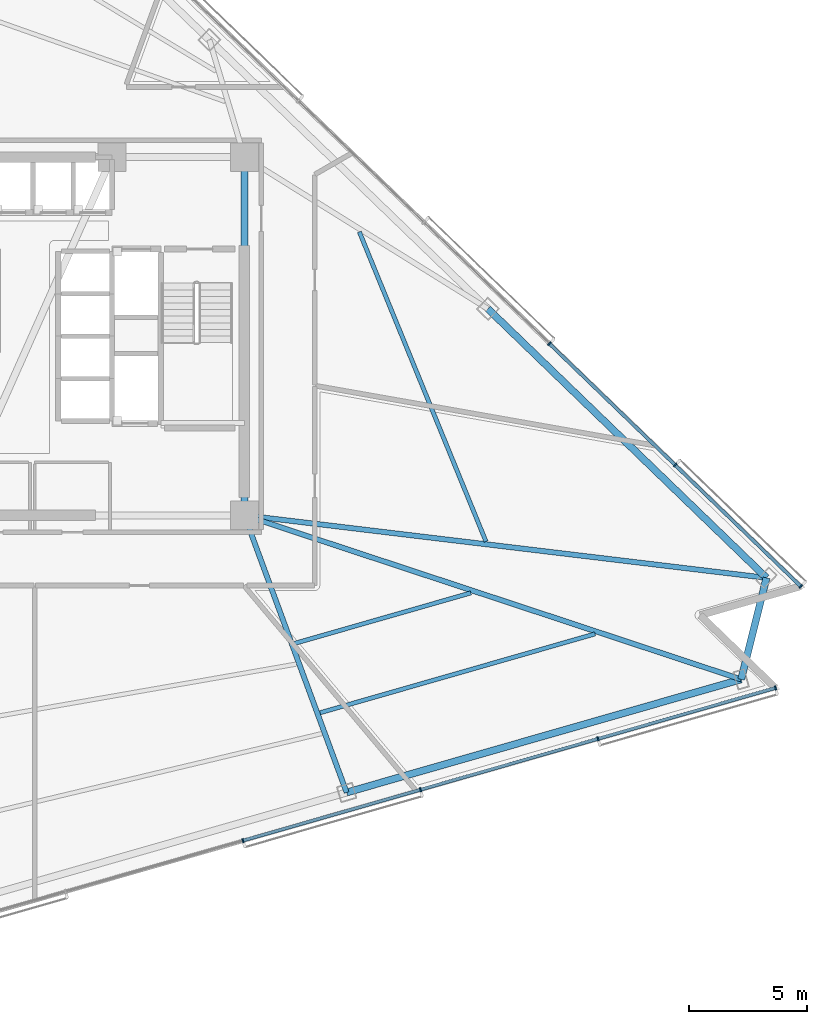
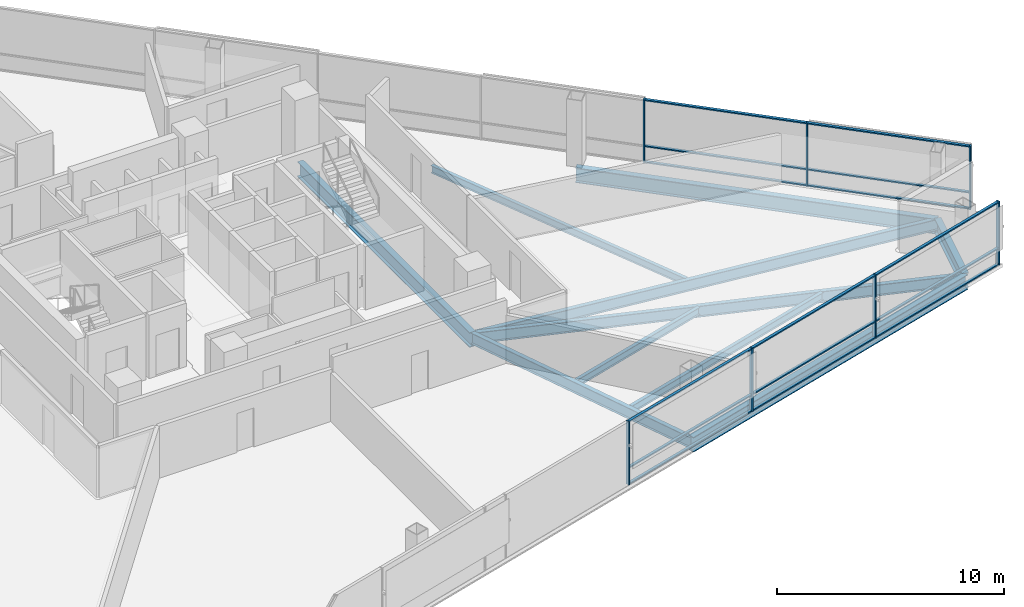
# One storey, part 5 of 19: 22 members, 10 beams, 2 elements without a shape of their own.
"""IFC4 building model written with IfcOpenShell, lengths in metres."""

from ifc_helpers import new_model, si_unit, direction, frame, origin, origin_2d, place, context, subcontext, project, spatial, rectangle, i_section, extrude, material, layer, layer_set, material_profile, profile_set, type_object, element, aggregate, save


model = new_model("IFC4")

# Units and contexts
model_context = context("Model", 3, precision=1e-05, world=origin(), true_north=direction((0.0, 1.0)))
body_context = subcontext(model_context, "Body", "Model", "MODEL_VIEW")
ifc_project = project(units=[si_unit("LENGTHUNIT", "METRE"), si_unit("AREAUNIT", "SQUARE_METRE"), si_unit("VOLUMEUNIT", "CUBIC_METRE"), si_unit("PLANEANGLEUNIT", "RADIAN"), si_unit("MASSUNIT", "GRAM", prefix="KILO")], contexts=[model_context])

# Site, building, storey
site_placement = place(None, origin())
site = spatial("IfcSite", under=ifc_project, at=site_placement, CompositionType="ELEMENT")
building_placement = place(site_placement, origin())
building = spatial("IfcBuilding", under=site, at=building_placement, Name="Tharavind Bronze Gate", CompositionType="ELEMENT")
storey_placement = place(building_placement, frame((0.0, 0.0, 89.699951171875)))
storey = spatial("IfcBuildingStorey", under=building, at=storey_placement, Name="L22", CompositionType="ELEMENT", Elevation=89.699951171875)

# Curtain wall, members
ifc_material_1 = material(Name="Anodised Bronze Aluminium", Category="aluminium")
ifc_layer = layer(ifc_material_1, 0.219970703125)
ifc_layer_set = layer_set([ifc_layer], Name="Anodised Bronze Aluminium")
curtain_wall_type = type_object("IfcCurtainWallType", Name="UNITISED CURTAIN WALL LOWER OFFICE", PredefinedType="USERDEFINED", material=ifc_layer_set)
curtain_wall_1_placement = place(storey_placement, origin())
curtain_wall_1 = element("IfcCurtainWall", 1, at=curtain_wall_1_placement, inside=storey, type_object=curtain_wall_type, Name="L22 unitised curtain wall lower office CW-L22-S2", ObjectType="UNITISED CURTAIN WALL", PredefinedType="USERDEFINED")
member_type_1 = type_object("IfcMemberType", Name="CURTAIN WALL BRONZE MULLION 65X180", PredefinedType="MULLION", material=ifc_material_1)
member_1_placement = place(storey_placement, frame((8.83837890625, -21.406982421875, 0.0), z_axis=(0.0, 0.0, 1.0), x_axis=(0.961261695938, 0.275637355817, 0.0)))
member_1 = element("IfcMember", 2, at=member_1_placement, type_object=member_type_1, Name="CW-L22-S2 mullion 5", PredefinedType="MULLION", context=body_context, shape_type="SweptSolid", body=[
    extrude(rectangle(XDim=0.06494140625, YDim=0.179931640625, at=origin_2d()), origin(), (0.0, 0.0, 1.0), 3.409912109375),
])
member_2_placement = place(storey_placement, frame((16.371826171875, -19.246826171875, 0.0), z_axis=(0.0, 0.0, 1.0), x_axis=(0.961261695938, 0.275637355817, 0.0)))
member_2 = element("IfcMember", 3, at=member_2_placement, type_object=member_type_1, Name="CW-L22-S2 mullion 6", PredefinedType="MULLION", context=body_context, shape_type="SweptSolid", body=[
    extrude(rectangle(XDim=0.06494140625, YDim=0.179931640625, at=origin_2d()), origin(), (0.0, 0.0, 1.0), 3.409912109375),
])
member_3_placement = place(storey_placement, frame((23.9052734375, -17.086669921875, 0.0), z_axis=(0.0, 0.0, 1.0), x_axis=(0.961261695938, 0.275637355817, 0.0)))
member_3 = element("IfcMember", 4, at=member_3_placement, type_object=member_type_1, Name="CW-L22-S2 mullion 7", PredefinedType="MULLION", context=body_context, shape_type="SweptSolid", body=[
    extrude(rectangle(XDim=0.06494140625, YDim=0.179931640625, at=origin_2d()), origin(), (0.0, 0.0, 1.0), 3.409912109375),
])
member_4_placement = place(storey_placement, frame((31.438720703125, -14.926513671875, 0.0), z_axis=(0.0, 0.0, 1.0), x_axis=(0.961261695938, 0.275637355817, 0.0)))
member_4 = element("IfcMember", 5, at=member_4_placement, type_object=member_type_1, Name="CW-L22-S2 mullion 8", PredefinedType="MULLION", context=body_context, shape_type="SweptSolid", body=[
    extrude(rectangle(XDim=0.06494140625, YDim=0.179931640625, at=origin_2d()), origin(), (0.0, 0.0, 1.0), 3.409912109375),
])

curtain_wall_2_placement = place(storey_placement, origin())
curtain_wall_2 = element("IfcCurtainWall", 6, at=curtain_wall_2_placement, inside=storey, type_object=curtain_wall_type, Name="L22 unitised curtain wall lower office CW-L22-S3", ObjectType="UNITISED CURTAIN WALL", PredefinedType="USERDEFINED")
member_5_placement = place(storey_placement, frame((32.512939453125, -10.618408203125, 0.0), z_axis=(0.0, 0.0, 1.0), x_axis=(-0.719341012745, 0.694657114973, 0.0)))
member_5 = element("IfcMember", 7, at=member_5_placement, type_object=member_type_1, Name="CW-L22-S3 mullion 1", PredefinedType="MULLION", context=body_context, shape_type="SweptSolid", body=[
    extrude(rectangle(XDim=0.06494140625, YDim=0.179931640625, at=origin_2d()), origin(), (0.0, 0.0, 1.0), 3.409912109375),
])
member_6_placement = place(storey_placement, frame((27.1796875, -5.468017578125, 0.0), z_axis=(0.0, 0.0, 1.0), x_axis=(-0.719341012745, 0.694657114973, 0.0)))
member_6 = element("IfcMember", 8, at=member_6_placement, type_object=member_type_1, Name="CW-L22-S3 mullion 2", PredefinedType="MULLION", context=body_context, shape_type="SweptSolid", body=[
    extrude(rectangle(XDim=0.06494140625, YDim=0.179931640625, at=origin_2d()), origin(), (0.0, 0.0, 1.0), 3.409912109375),
])
member_7_placement = place(storey_placement, frame((21.84619140625, -0.317626953125, 0.0), z_axis=(0.0, 0.0, 1.0), x_axis=(-0.719341012745, 0.694657114973, 0.0)))
member_7 = element("IfcMember", 9, at=member_7_placement, type_object=member_type_1, Name="CW-L22-S3 mullion 3", PredefinedType="MULLION", context=body_context, shape_type="SweptSolid", body=[
    extrude(rectangle(XDim=0.06494140625, YDim=0.179931640625, at=origin_2d()), origin(), (0.0, 0.0, 1.0), 3.409912109375),
])

# Member
member_type_2 = type_object("IfcMemberType", Name="CURTAIN WALL BRONZE TRANSOM 65X140", PredefinedType="USERDEFINED", material=ifc_material_1)
member_8_placement = place(storey_placement, frame((12.60498046875, -20.326904296875, 0.0), z_axis=(0.0, 0.0, 1.0), x_axis=(0.961261695938, 0.275637355817, 0.0)))
member_8 = element("IfcMember", 10, at=member_8_placement, type_object=member_type_2, Name="CW-L22-S2 transom TB5", ObjectType="TRANSOM", PredefinedType="USERDEFINED", context=body_context, shape_type="SweptSolid", body=[
    extrude(rectangle(XDim=7.7841796875, YDim=0.139892578125, at=origin_2d()), origin(), (0.0, 0.0, 1.0), 0.06494140625),
])

member_9_placement = place(storey_placement, frame((12.60498046875, -20.326904296875, 0.86767578125), z_axis=(0.0, 0.0, 1.0), x_axis=(0.961261695938, 0.275637355817, 0.0)))
member_9 = element("IfcMember", 11, at=member_9_placement, type_object=member_type_2, Name="CW-L22-S2 transom TS5", ObjectType="TRANSOM", PredefinedType="USERDEFINED", context=body_context, shape_type="SweptSolid", body=[
    extrude(rectangle(XDim=7.7841796875, YDim=0.139892578125, at=origin_2d()), origin(), (0.0, 0.0, 1.0), 0.06494140625),
])

member_10_placement = place(storey_placement, frame((12.60498046875, -20.326904296875, 3.344970703125), z_axis=(0.0, 0.0, 1.0), x_axis=(0.961261695938, 0.275637355817, 0.0)))
member_10 = element("IfcMember", 12, at=member_10_placement, type_object=member_type_2, Name="CW-L22-S2 transom TT5", ObjectType="TRANSOM", PredefinedType="USERDEFINED", context=body_context, shape_type="SweptSolid", body=[
    extrude(rectangle(XDim=7.7841796875, YDim=0.139892578125, at=origin_2d()), origin(), (0.0, 0.0, 1.0), 0.06494140625),
])

member_11_placement = place(storey_placement, frame((20.138671875, -18.166748046875, 0.0), z_axis=(0.0, 0.0, 1.0), x_axis=(0.961261695938, 0.275637355817, 0.0)))
member_11 = element("IfcMember", 13, at=member_11_placement, type_object=member_type_2, Name="CW-L22-S2 transom TB6", ObjectType="TRANSOM", PredefinedType="USERDEFINED", context=body_context, shape_type="SweptSolid", body=[
    extrude(rectangle(XDim=7.7841796875, YDim=0.139892578125, at=origin_2d()), origin(), (0.0, 0.0, 1.0), 0.06494140625),
])

member_12_placement = place(storey_placement, frame((20.138671875, -18.166748046875, 0.86767578125), z_axis=(0.0, 0.0, 1.0), x_axis=(0.961261695938, 0.275637355817, 0.0)))
member_12 = element("IfcMember", 14, at=member_12_placement, type_object=member_type_2, Name="CW-L22-S2 transom TS6", ObjectType="TRANSOM", PredefinedType="USERDEFINED", context=body_context, shape_type="SweptSolid", body=[
    extrude(rectangle(XDim=7.7841796875, YDim=0.139892578125, at=origin_2d()), origin(), (0.0, 0.0, 1.0), 0.06494140625),
])

member_13_placement = place(storey_placement, frame((20.138671875, -18.166748046875, 3.344970703125), z_axis=(0.0, 0.0, 1.0), x_axis=(0.961261695938, 0.275637355817, 0.0)))
member_13 = element("IfcMember", 15, at=member_13_placement, type_object=member_type_2, Name="CW-L22-S2 transom TT6", ObjectType="TRANSOM", PredefinedType="USERDEFINED", context=body_context, shape_type="SweptSolid", body=[
    extrude(rectangle(XDim=7.7841796875, YDim=0.139892578125, at=origin_2d()), origin(), (0.0, 0.0, 1.0), 0.06494140625),
])

member_14_placement = place(storey_placement, frame((27.672119140625, -16.006591796875, 0.0), z_axis=(0.0, 0.0, 1.0), x_axis=(0.961261695938, 0.275637355817, 0.0)))
member_14 = element("IfcMember", 16, at=member_14_placement, type_object=member_type_2, Name="CW-L22-S2 transom TB7", ObjectType="TRANSOM", PredefinedType="USERDEFINED", context=body_context, shape_type="SweptSolid", body=[
    extrude(rectangle(XDim=7.7841796875, YDim=0.139892578125, at=origin_2d()), origin(), (0.0, 0.0, 1.0), 0.06494140625),
])

member_15_placement = place(storey_placement, frame((27.672119140625, -16.006591796875, 0.86767578125), z_axis=(0.0, 0.0, 1.0), x_axis=(0.961261695938, 0.275637355817, 0.0)))
member_15 = element("IfcMember", 17, at=member_15_placement, type_object=member_type_2, Name="CW-L22-S2 transom TS7", ObjectType="TRANSOM", PredefinedType="USERDEFINED", context=body_context, shape_type="SweptSolid", body=[
    extrude(rectangle(XDim=7.7841796875, YDim=0.139892578125, at=origin_2d()), origin(), (0.0, 0.0, 1.0), 0.06494140625),
])

member_16_placement = place(storey_placement, frame((27.672119140625, -16.006591796875, 3.344970703125), z_axis=(0.0, 0.0, 1.0), x_axis=(0.961261695938, 0.275637355817, 0.0)))
member_16 = element("IfcMember", 18, at=member_16_placement, type_object=member_type_2, Name="CW-L22-S2 transom TT7", ObjectType="TRANSOM", PredefinedType="USERDEFINED", context=body_context, shape_type="SweptSolid", body=[
    extrude(rectangle(XDim=7.7841796875, YDim=0.139892578125, at=origin_2d()), origin(), (0.0, 0.0, 1.0), 0.06494140625),
])

aggregate(curtain_wall_1, [member_1, member_2, member_3, member_4, member_8, member_9, member_10, member_11, member_12, member_13, member_14, member_15, member_16])

member_17_placement = place(storey_placement, frame((29.84619140625, -8.043212890625, 0.0), z_axis=(0.0, 0.0, 1.0), x_axis=(-0.719341012745, 0.694657114973, 0.0)))
member_17 = element("IfcMember", 19, at=member_17_placement, type_object=member_type_2, Name="CW-L22-S3 transom TB1", ObjectType="TRANSOM", PredefinedType="USERDEFINED", context=body_context, shape_type="SweptSolid", body=[
    extrude(rectangle(XDim=7.361083984375, YDim=0.139892578125, at=origin_2d()), origin(), (0.0, 0.0, 1.0), 0.06494140625),
])

member_18_placement = place(storey_placement, frame((29.84619140625, -8.043212890625, 0.86767578125), z_axis=(0.0, 0.0, 1.0), x_axis=(-0.719341012745, 0.694657114973, 0.0)))
member_18 = element("IfcMember", 20, at=member_18_placement, type_object=member_type_2, Name="CW-L22-S3 transom TS1", ObjectType="TRANSOM", PredefinedType="USERDEFINED", context=body_context, shape_type="SweptSolid", body=[
    extrude(rectangle(XDim=7.361083984375, YDim=0.139892578125, at=origin_2d()), origin(), (0.0, 0.0, 1.0), 0.06494140625),
])

member_19_placement = place(storey_placement, frame((29.84619140625, -8.043212890625, 3.344970703125), z_axis=(0.0, 0.0, 1.0), x_axis=(-0.719341012745, 0.694657114973, 0.0)))
member_19 = element("IfcMember", 21, at=member_19_placement, type_object=member_type_2, Name="CW-L22-S3 transom TT1", ObjectType="TRANSOM", PredefinedType="USERDEFINED", context=body_context, shape_type="SweptSolid", body=[
    extrude(rectangle(XDim=7.361083984375, YDim=0.139892578125, at=origin_2d()), origin(), (0.0, 0.0, 1.0), 0.06494140625),
])

member_20_placement = place(storey_placement, frame((24.512939453125, -2.892822265625, 0.0), z_axis=(0.0, 0.0, 1.0), x_axis=(-0.719341012745, 0.694657114973, 0.0)))
member_20 = element("IfcMember", 22, at=member_20_placement, type_object=member_type_2, Name="CW-L22-S3 transom TB2", ObjectType="TRANSOM", PredefinedType="USERDEFINED", context=body_context, shape_type="SweptSolid", body=[
    extrude(rectangle(XDim=7.361083984375, YDim=0.139892578125, at=origin_2d()), origin(), (0.0, 0.0, 1.0), 0.06494140625),
])

member_21_placement = place(storey_placement, frame((24.512939453125, -2.892822265625, 0.86767578125), z_axis=(0.0, 0.0, 1.0), x_axis=(-0.719341012745, 0.694657114973, 0.0)))
member_21 = element("IfcMember", 23, at=member_21_placement, type_object=member_type_2, Name="CW-L22-S3 transom TS2", ObjectType="TRANSOM", PredefinedType="USERDEFINED", context=body_context, shape_type="SweptSolid", body=[
    extrude(rectangle(XDim=7.361083984375, YDim=0.139892578125, at=origin_2d()), origin(), (0.0, 0.0, 1.0), 0.06494140625),
])

member_22_placement = place(storey_placement, frame((24.512939453125, -2.892822265625, 3.344970703125), z_axis=(0.0, 0.0, 1.0), x_axis=(-0.719341012745, 0.694657114973, 0.0)))
member_22 = element("IfcMember", 24, at=member_22_placement, type_object=member_type_2, Name="CW-L22-S3 transom TT2", ObjectType="TRANSOM", PredefinedType="USERDEFINED", context=body_context, shape_type="SweptSolid", body=[
    extrude(rectangle(XDim=7.361083984375, YDim=0.139892578125, at=origin_2d()), origin(), (0.0, 0.0, 1.0), 0.06494140625),
])

aggregate(curtain_wall_2, [member_5, member_6, member_7, member_17, member_18, member_19, member_20, member_21, member_22])

# Beams
ifc_material_2 = material(Name="Steel S355", Category="steel")
ifc_material_profile_1 = material_profile(ifc_material_2, i_section(OverallWidth=0.219970703125, OverallDepth=0.60009765625, WebThickness=0.011962890625, FlangeThickness=0.01904296875, at=origin_2d()), Name="IPE600")
ifc_profile_set_1 = profile_set([ifc_material_profile_1], Name="Steel S355")
beam_type_1 = type_object("IfcBeamType", Name="PRIMARY GIRDER IPE600", PredefinedType="USERDEFINED", material=ifc_profile_set_1)
beam_1_placement = place(storey_placement, frame((13.23779296875, -19.365234375, -0.489990234375), z_axis=(-0.345941741317, 0.938255994713, 0.0), x_axis=(-0.938255994713, -0.345941741317, 0.0)))
element("IfcBeam", 25, at=beam_1_placement, inside=storey, type_object=beam_type_1, Name="L22 primary girder ipe600 BM-L22-RAD07", ObjectType="GIRDER", PredefinedType="USERDEFINED", context=body_context, shape_type="SweptSolid", body=[
    extrude(i_section(OverallWidth=0.219970703125, OverallDepth=0.60009765625, WebThickness=0.011962890625, FlangeThickness=0.01904296875, at=origin_2d()), origin(), (0.0, 0.0, 1.0), 12.539306640625),
])
beam_2_placement = place(storey_placement, frame((29.9833984375, -14.563720703125, -0.489990234375), z_axis=(-0.949547271017, 0.313623946956, 0.0), x_axis=(-0.313623946956, -0.949547271017, 0.0)))
element("IfcBeam", 26, at=beam_2_placement, inside=storey, type_object=beam_type_1, Name="L22 primary girder ipe600 BM-L22-RAD08", ObjectType="GIRDER", PredefinedType="USERDEFINED", context=body_context, shape_type="SweptSolid", body=[
    extrude(i_section(OverallWidth=0.219970703125, OverallDepth=0.60009765625, WebThickness=0.011962890625, FlangeThickness=0.01904296875, at=origin_2d()), origin(), (0.0, 0.0, 1.0), 22.20361328125),
])
beam_3_placement = place(storey_placement, frame((31.0576171875, -10.255615234375, -0.489990234375), z_axis=(-0.992894893645, 0.118994664472, 0.0), x_axis=(-0.118994664472, -0.992894893645, 0.0)))
element("IfcBeam", 27, at=beam_3_placement, inside=storey, type_object=beam_type_1, Name="L22 primary girder ipe600 BM-L22-RAD09", ObjectType="GIRDER", PredefinedType="USERDEFINED", context=body_context, shape_type="SweptSolid", body=[
    extrude(i_section(OverallWidth=0.219970703125, OverallDepth=0.60009765625, WebThickness=0.011962890625, FlangeThickness=0.01904296875, at=origin_2d()), origin(), (0.0, 0.0, 1.0), 22.316162109375),
])
ifc_material_profile_2 = material_profile(ifc_material_2, i_section(OverallWidth=0.300048828125, OverallDepth=0.800048828125, WebThickness=0.017578125, FlangeThickness=0.032958984375, at=origin_2d()), Name="HE800B")
ifc_profile_set_2 = profile_set([ifc_material_profile_2], Name="Steel S355")
beam_type_2 = type_object("IfcBeamType", Name="RING GIRDER HE800B", PredefinedType="USERDEFINED", material=ifc_profile_set_2)
beam_4_placement = place(storey_placement, frame((8.89990234375, -7.60009765625, -0.58984375), z_axis=(0.0, 1.0, 0.0), x_axis=(-1.0, 0.0, 0.0)))
element("IfcBeam", 28, at=beam_4_placement, inside=storey, type_object=beam_type_2, Name="L22 ring girder he800b BM-L22-CR3", ObjectType="GIRDER", PredefinedType="USERDEFINED", context=body_context, shape_type="SweptSolid", body=[
    extrude(i_section(OverallWidth=0.300048828125, OverallDepth=0.800048828125, WebThickness=0.017578125, FlangeThickness=0.032958984375, at=origin_2d()), origin(), (0.0, 0.0, 1.0), 15.2001953125),
])
beam_5_placement = place(storey_placement, frame((13.23779296875, -19.365234375, -0.58984375), z_axis=(0.961264911639, 0.275626141088, 0.0), x_axis=(-0.275626141088, 0.961264911639, 0.0)))
element("IfcBeam", 29, at=beam_5_placement, inside=storey, type_object=beam_type_2, Name="L22 ring girder he800b BM-L22-PRG07", ObjectType="GIRDER", PredefinedType="USERDEFINED", context=body_context, shape_type="SweptSolid", body=[
    extrude(i_section(OverallWidth=0.300048828125, OverallDepth=0.800048828125, WebThickness=0.017578125, FlangeThickness=0.032958984375, at=origin_2d()), origin(), (0.0, 0.0, 1.0), 17.42041015625),
])
beam_6_placement = place(storey_placement, frame((29.9833984375, -14.563720703125, -0.58984375), z_axis=(0.241940431812, 0.970291104491, 0.0), x_axis=(-0.970291104491, 0.241940431812, 0.0)))
element("IfcBeam", 30, at=beam_6_placement, inside=storey, type_object=beam_type_2, Name="L22 ring girder he800b BM-L22-PRG08", ObjectType="GIRDER", PredefinedType="USERDEFINED", context=body_context, shape_type="SweptSolid", body=[
    extrude(i_section(OverallWidth=0.300048828125, OverallDepth=0.800048828125, WebThickness=0.017578125, FlangeThickness=0.032958984375, at=origin_2d()), origin(), (0.0, 0.0, 1.0), 4.43994140625),
])
beam_7_placement = place(storey_placement, frame((31.0576171875, -10.255615234375, -0.58984375), z_axis=(-0.719336950964, 0.694661321061, 0.0), x_axis=(-0.694661321061, -0.719336950964, 0.0)))
element("IfcBeam", 31, at=beam_7_placement, inside=storey, type_object=beam_type_2, Name="L22 ring girder he800b BM-L22-PRG09", ObjectType="GIRDER", PredefinedType="USERDEFINED", context=body_context, shape_type="SweptSolid", body=[
    extrude(i_section(OverallWidth=0.300048828125, OverallDepth=0.800048828125, WebThickness=0.017578125, FlangeThickness=0.032958984375, at=origin_2d()), origin(), (0.0, 0.0, 1.0), 16.433837890625),
])
ifc_material_profile_3 = material_profile(ifc_material_2, i_section(OverallWidth=0.179931640625, OverallDepth=0.39990234375, WebThickness=0.008544921875, FlangeThickness=0.013427734375, at=origin_2d()), Name="IPE400")
ifc_profile_set_3 = profile_set([ifc_material_profile_3], Name="Steel S355")
beam_type_3 = type_object("IfcBeamType", Name="SECONDARY FLOOR JOIST IPE400", PredefinedType="JOIST", material=ifc_profile_set_3)
beam_8_placement = place(storey_placement, frame((11.027099609375, -13.039306640625, -0.389892578125), z_axis=(0.961264410597, 0.275627888501, 0.0), x_axis=(-0.275627888501, 0.961264410597, 0.0)))
element("IfcBeam", 32, at=beam_8_placement, inside=storey, type_object=beam_type_3, Name="L22 secondary floor joist ipe400 BM-L22-JSTA07", PredefinedType="JOIST", context=body_context, shape_type="SweptSolid", body=[
    extrude(i_section(OverallWidth=0.179931640625, OverallDepth=0.39990234375, WebThickness=0.008544921875, FlangeThickness=0.013427734375, at=origin_2d()), origin(), (0.0, 0.0, 1.0), 7.78662109375),
])
beam_9_placement = place(storey_placement, frame((12.111328125, -15.980712890625, -0.389892578125), z_axis=(0.961258694637, 0.275647822385, 0.0), x_axis=(-0.275647822385, 0.961258694637, 0.0)))
element("IfcBeam", 33, at=beam_9_placement, inside=storey, type_object=beam_type_3, Name="L22 secondary floor joist ipe400 BM-L22-JSTB07", PredefinedType="JOIST", context=body_context, shape_type="SweptSolid", body=[
    extrude(i_section(OverallWidth=0.179931640625, OverallDepth=0.39990234375, WebThickness=0.008544921875, FlangeThickness=0.013427734375, at=origin_2d()), origin(), (0.0, 0.0, 1.0), 12.14208984375),
])
beam_10_placement = place(storey_placement, frame((19.154052734375, -8.714599609375, -0.389892578125), z_axis=(-0.378556522094, 0.925578175834, 0.0), x_axis=(-0.925578175834, -0.378556522094, 0.0)))
element("IfcBeam", 34, at=beam_10_placement, inside=storey, type_object=beam_type_3, Name="L22 secondary floor joist ipe400 BM-L22-JSTA09", PredefinedType="JOIST", context=body_context, shape_type="SweptSolid", body=[
    extrude(i_section(OverallWidth=0.179931640625, OverallDepth=0.39990234375, WebThickness=0.008544921875, FlangeThickness=0.013427734375, at=origin_2d()), origin(), (0.0, 0.0, 1.0), 14.19921875),
])

save(model, "model.ifc")
